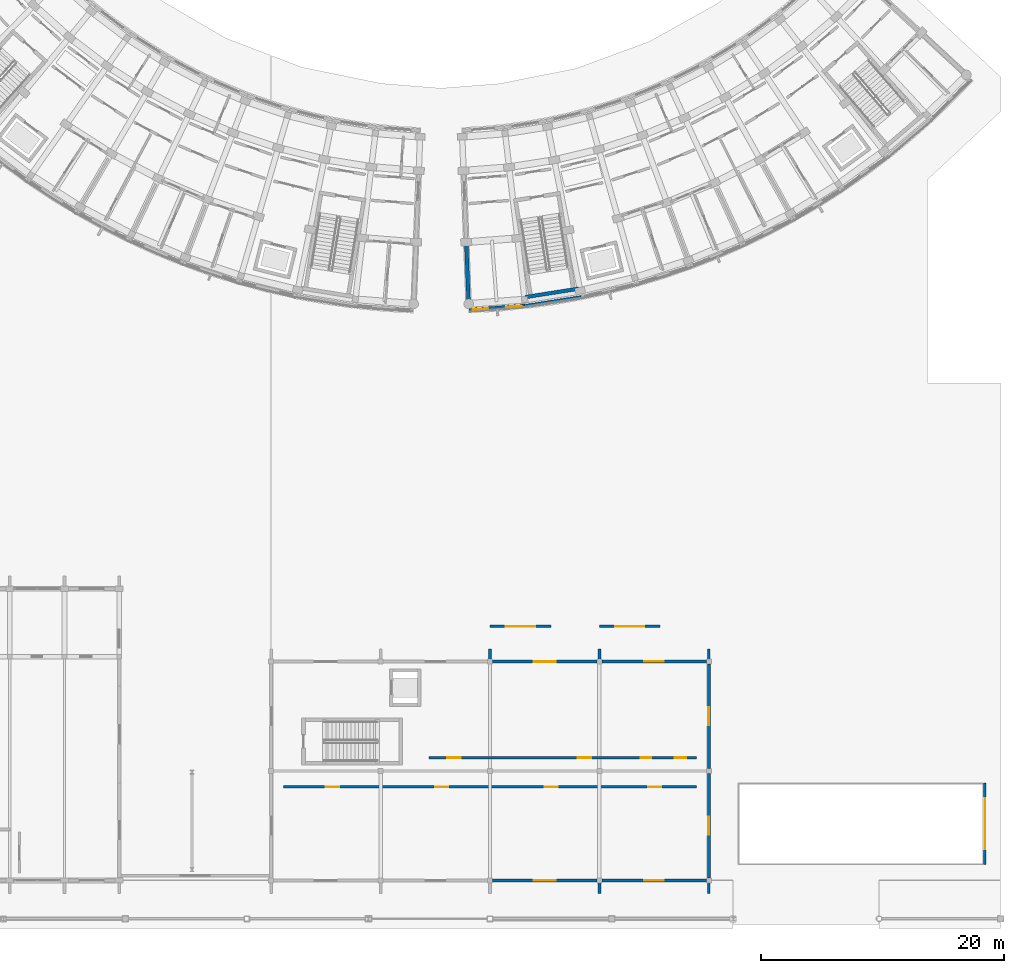
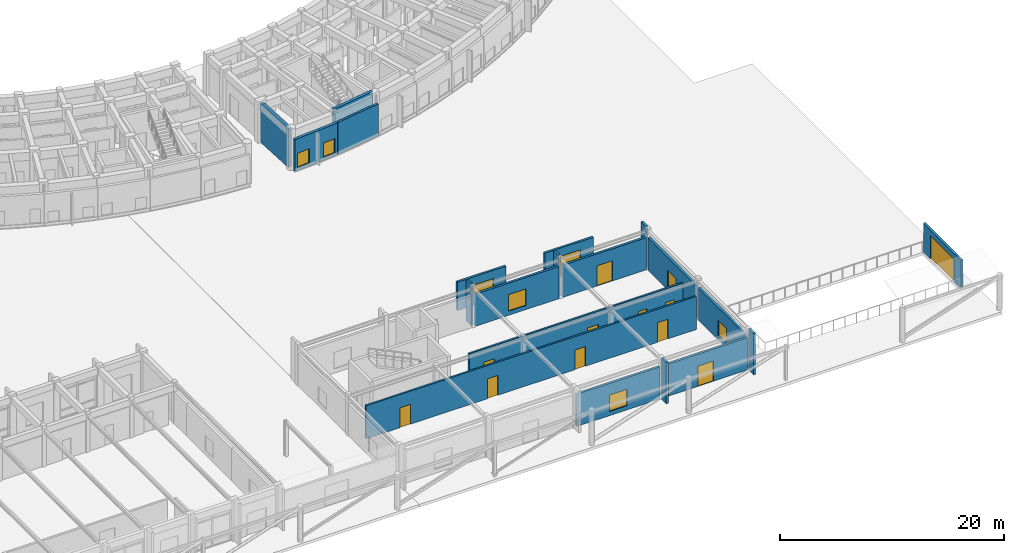
# One storey, part 41 of 61: 20 walls, 13 doors, 6 windows, 19 openings.
"""IFC4 building model written with IfcOpenShell, lengths in metres."""

from ifc_helpers import new_model, si_unit, direction, frame, frame_2d, origin, place, context, subcontext, project, spatial, rectangle, extrude, material, layer, layer_set, type_object, element, fill, save


model = new_model("IFC4")

# Units and contexts
model_context = context("Model", 3, precision=1e-05, world=origin(), true_north=direction((0.0, 1.0)))
body_context = subcontext(model_context, "Body", "Model", "MODEL_VIEW")
ifc_project = project(units=[si_unit("LENGTHUNIT", "METRE"), si_unit("AREAUNIT", "SQUARE_METRE"), si_unit("VOLUMEUNIT", "CUBIC_METRE"), si_unit("PLANEANGLEUNIT", "RADIAN"), si_unit("MASSUNIT", "GRAM", prefix="KILO")], contexts=[model_context])

# Site, building, storey
site_placement = place(None, origin())
site = spatial("IfcSite", under=ifc_project, at=site_placement, CompositionType="ELEMENT")
building_placement = place(site_placement, origin())
building = spatial("IfcBuilding", under=site, at=building_placement, Name="Zimvara Arc Housing Community", CompositionType="ELEMENT")
storey_placement = place(building_placement, origin())
storey = spatial("IfcBuildingStorey", under=building, at=storey_placement, Name="L00", CompositionType="ELEMENT", Elevation=0.0)

# Wall
ifc_material_1 = material(Name="Board-Marked Fair-Faced Concrete C35/45", Category="concrete")
ifc_layer_1 = layer(ifc_material_1, 0.219970703125)
ifc_layer_set_1 = layer_set([ifc_layer_1], Name="Board-Marked Fair-Faced Concrete C35/45")
wall_type_1 = type_object("IfcWallType", Name="EWL-CONC-220", PredefinedType="SOLIDWALL", material=ifc_layer_set_1)
wall_1_placement = place(storey_placement, frame((132.927734375, 50.888671875, 0.0), z_axis=(0.0, 0.0, 1.0), x_axis=(0.987828826394, 0.155544880165, 0.0)))
element("IfcWall", 1, at=wall_1_placement, inside=storey, type_object=wall_type_1, Name="ewall:blkD:L00:out:b1", PredefinedType="SOLIDWALL", context=body_context, shape_type="SweptSolid", body=[
    extrude(rectangle(XDim=4.622314453125, YDim=0.219970703125, at=frame_2d((2.31103515625, 0.0))), origin(), (0.0, 0.0, 1.0), 3.449951171875),
])

# Wall, opening, door
wall_2_placement = place(storey_placement, frame((170.699951171875, 4.89990234375, 0.0), z_axis=(0.0, 0.0, 1.0), x_axis=(0.0, 1.0, 0.0)))
wall_2 = element("IfcWall", 2, at=wall_2_placement, inside=storey, type_object=wall_type_1, Name="ewall:gate_host:ramp_entry", PredefinedType="SOLIDWALL", context=body_context, shape_type="SweptSolid", body=[
    extrude(rectangle(XDim=6.7001953125, YDim=0.219970703125, at=frame_2d((3.35009765625, 0.0))), origin(), (0.0, 0.0, 1.0), 3.10009765625),
])
opening_1_placement = place(wall_2_placement, frame((1.25, 0.0, 0.0)))
opening_1 = element("IfcOpeningElement", 3, at=opening_1_placement, cuts=wall_2, Name="Opening GT01", PredefinedType="OPENING", context=body_context, shape_type="SweptSolid", body=[
    extrude(rectangle(XDim=4.199951171875, YDim=2.5, at=frame_2d((2.10009765625, 1.25))), frame((0.0, 0.119873046875, 0.0), z_axis=(0.0, -1.0, 0.0), x_axis=(1.0, 0.0, 0.0)), (0.0, 0.0, 1.0), 0.239990234375),
])
ifc_material_2 = material(Name="Anodised Aluminium AW-6063", Category="aluminium")
door_type_1 = type_object("IfcDoorType", Name="GTE-RAMP-4200x2500", OperationType="ROLLINGUP", PredefinedType="GATE", material=ifc_material_2)
door_1_placement = place(opening_1_placement, origin())
door_1 = element("IfcDoor", 4, at=door_1_placement, inside=storey, type_object=door_type_1, Name="gate:ramp_entry", OperationType="ROLLINGUP", OverallHeight=2.5, OverallWidth=4.199951171875, PredefinedType="GATE", context=body_context, shape_type="SweptSolid", body=[
    extrude(rectangle(XDim=4.199951171875, YDim=2.5, at=frame_2d((2.10009765625, 1.25))), frame((0.0, 0.02490234375, 0.0), z_axis=(0.0, -1.0, 0.0), x_axis=(1.0, 0.0, 0.0)), (0.0, 0.0, 1.0), 0.050048828125),
])
fill(opening_1, door_1)

wall_3_placement = place(storey_placement, frame((130.0, 24.5, 0.0), z_axis=(0.0, 0.0, 1.0), x_axis=(1.0, 0.0, 0.0)))
wall_3 = element("IfcWall", 5, at=wall_3_placement, inside=storey, type_object=wall_type_1, Name="ewall:gate_host:nurs_play1", PredefinedType="SOLIDWALL", context=body_context, shape_type="SweptSolid", body=[
    extrude(rectangle(XDim=5.0, YDim=0.219970703125, at=frame_2d((2.5, 0.0))), origin(), (0.0, 0.0, 1.0), 3.10009765625),
])
opening_2_placement = place(wall_3_placement, frame((1.300048828125, 0.0, 0.0)))
opening_2 = element("IfcOpeningElement", 6, at=opening_2_placement, cuts=wall_3, Name="Opening GT02", PredefinedType="OPENING", context=body_context, shape_type="SweptSolid", body=[
    extrude(rectangle(XDim=2.39990234375, YDim=2.199951171875, at=frame_2d((1.199951171875, 1.10009765625))), frame((0.0, 0.119873046875, 0.0), z_axis=(0.0, -1.0, 0.0), x_axis=(1.0, 0.0, 0.0)), (0.0, 0.0, 1.0), 0.239990234375),
])
ifc_material_3 = material(Name="Anodised Aluminium AW-6063", Category="aluminium")
door_type_2 = type_object("IfcDoorType", Name="GTE-SERV-2400x2200", OperationType="DOUBLE_DOOR_SINGLE_SWING", PredefinedType="GATE", material=ifc_material_3)
door_2_placement = place(opening_2_placement, origin())
door_2 = element("IfcDoor", 7, at=door_2_placement, inside=storey, type_object=door_type_2, Name="gate:nurs_play1", OperationType="DOUBLE_DOOR_SINGLE_SWING", OverallHeight=2.199951171875, OverallWidth=2.39990234375, PredefinedType="GATE", context=body_context, shape_type="SweptSolid", body=[
    extrude(rectangle(XDim=2.39990234375, YDim=2.199951171875, at=frame_2d((1.199951171875, 1.10009765625))), frame((0.0, 0.02490234375, 0.0), z_axis=(0.0, -1.0, 0.0), x_axis=(1.0, 0.0, 0.0)), (0.0, 0.0, 1.0), 0.050048828125),
])
fill(opening_2, door_2)

wall_4_placement = place(storey_placement, frame((139.0, 24.5, 0.0), z_axis=(0.0, 0.0, 1.0), x_axis=(1.0, 0.0, 0.0)))
wall_4 = element("IfcWall", 8, at=wall_4_placement, inside=storey, type_object=wall_type_1, Name="ewall:gate_host:nurs_play2", PredefinedType="SOLIDWALL", context=body_context, shape_type="SweptSolid", body=[
    extrude(rectangle(XDim=5.0, YDim=0.219970703125, at=frame_2d((2.5, 0.0))), origin(), (0.0, 0.0, 1.0), 3.10009765625),
])
opening_3_placement = place(wall_4_placement, frame((1.300048828125, 0.0, 0.0)))
opening_3 = element("IfcOpeningElement", 9, at=opening_3_placement, cuts=wall_4, Name="Opening GT02", PredefinedType="OPENING", context=body_context, shape_type="SweptSolid", body=[
    extrude(rectangle(XDim=2.39990234375, YDim=2.199951171875, at=frame_2d((1.199951171875, 1.10009765625))), frame((0.0, 0.119873046875, 0.0), z_axis=(0.0, -1.0, 0.0), x_axis=(1.0, 0.0, 0.0)), (0.0, 0.0, 1.0), 0.239990234375),
])
door_3_placement = place(opening_3_placement, origin())
door_3 = element("IfcDoor", 10, at=door_3_placement, inside=storey, type_object=door_type_2, Name="gate:nurs_play2", OperationType="DOUBLE_DOOR_SINGLE_SWING", OverallHeight=2.199951171875, OverallWidth=2.39990234375, PredefinedType="GATE", context=body_context, shape_type="SweptSolid", body=[
    extrude(rectangle(XDim=2.39990234375, YDim=2.199951171875, at=frame_2d((1.199951171875, 1.10009765625))), frame((0.0, 0.02490234375, 0.0), z_axis=(0.0, -1.0, 0.0), x_axis=(1.0, 0.0, 0.0)), (0.0, 0.0, 1.0), 0.050048828125),
])
fill(opening_3, door_3)

# Walls
ifc_material_4 = material(Name="Board-Marked Fair-Faced Concrete C35/45", Category="concrete")
ifc_layer_2 = layer(ifc_material_4, 0.219970703125)
ifc_layer_set_2 = layer_set([ifc_layer_2], Name="Board-Marked Fair-Faced Concrete C35/45")
wall_type_2 = type_object("IfcWallType", Name="EWL-PARA-220", PredefinedType="PARAPET", material=ifc_layer_set_2)
for number, where, z_axis, x_axis, name in (
    (11, (130.0, 21.780029296875, 0.0), (0.0, 0.0, 1.0), (0.0, 1.0, 0.0), "finwall:nursery:L00:n:2"),
    (12, (139.0, 2.550048828125, 0.0), (0.0, 0.0, 1.0), (0.0, 1.0, 0.0), "finwall:nursery:L00:s:3"),
    (13, (139.0, 21.780029296875, 0.0), (0.0, 0.0, 1.0), (0.0, 1.0, 0.0), "finwall:nursery:L00:n:3"),
    (14, (148.0, 2.550048828125, 0.0), (0.0, 0.0, 1.0), (0.0, 1.0, 0.0), "finwall:nursery:L00:s:4"),
    (15, (148.0, 21.780029296875, 0.0), (0.0, 0.0, 1.0), (0.0, 1.0, 0.0), "finwall:nursery:L00:n:4"),
):
    element("IfcWall", number, at=place(storey_placement, frame(where, z_axis=z_axis, x_axis=x_axis)), inside=storey, type_object=wall_type_2, Name=name, PredefinedType="PARAPET", context=body_context, shape_type="SweptSolid", body=[
        extrude(rectangle(XDim=0.869873046875, YDim=0.219970703125, at=frame_2d((0.43505859375, 0.0))), origin(), (0.0, 0.0, 1.0), 4.5),
    ])

# Wall, opening, window
ifc_material_5 = material(Name="Pigmented Fair-Faced Concrete C35/45", Category="concrete")
ifc_layer_3 = layer(ifc_material_5, 0.235107421875)
ifc_layer_set_3 = layer_set([ifc_layer_3], Name="Pigmented Fair-Faced Concrete C35/45")
wall_type_3 = type_object("IfcWallType", Name="EWL-PIGM-235", PredefinedType="SOLIDWALL", material=ifc_layer_set_3)
wall_5_placement = place(storey_placement, frame((130.195068359375, 3.60009765625, 0.0), z_axis=(0.0, 0.0, 1.0), x_axis=(1.0, 0.0, 0.0)))
wall_5 = element("IfcWall", 16, at=wall_5_placement, inside=storey, type_object=wall_type_3, Name="ewall:nursery:L00:south:b2", PredefinedType="SOLIDWALL", context=body_context, shape_type="SweptSolid", body=[
    extrude(rectangle(XDim=8.60986328125, YDim=0.235107421875, at=frame_2d((4.304931640625, 0.0))), origin(), (0.0, 0.0, 1.0), 3.5),
])
opening_4_placement = place(wall_5_placement, frame((3.405029296875, 0.0, 0.449951171875)))
opening_4 = element("IfcOpeningElement", 17, at=opening_4_placement, cuts=wall_5, Name="Opening W13", PredefinedType="OPENING", context=body_context, shape_type="SweptSolid", body=[
    extrude(rectangle(XDim=1.800048828125, YDim=1.800048828125, at=frame_2d((0.89990234375, 0.89990234375))), frame((0.0, 0.12744140625, 0.0), z_axis=(0.0, -1.0, 0.0), x_axis=(1.0, 0.0, 0.0)), (0.0, 0.0, 1.0), 0.255126953125),
])
ifc_material_6 = material(Name="Solar Control Low-E Double Glazing", Category="glass")
window_type_1 = type_object("IfcWindowType", Name="WIN-NURS-1800x1800", PartitioningType="TRIPLE_PANEL_VERTICAL", PredefinedType="WINDOW", material=ifc_material_6)
window_1_placement = place(opening_4_placement, origin())
window_1 = element("IfcWindow", 18, at=window_1_placement, inside=storey, type_object=window_type_1, Name="win:nursery:L00:south:b2", OverallHeight=1.800048828125, OverallWidth=1.800048828125, PartitioningType="TRIPLE_PANEL_VERTICAL", PredefinedType="WINDOW", context=body_context, shape_type="SweptSolid", body=[
    extrude(rectangle(XDim=1.800048828125, YDim=1.800048828125, at=frame_2d((0.89990234375, 0.89990234375))), frame((0.0, 0.030029296875, 0.0), z_axis=(0.0, -1.0, 0.0), x_axis=(1.0, 0.0, 0.0)), (0.0, 0.0, 1.0), 0.06005859375),
])
fill(opening_4, window_1)

# Wall, opening, door
wall_6_placement = place(storey_placement, frame((139.195068359375, 3.60009765625, 0.0), z_axis=(0.0, 0.0, 1.0), x_axis=(1.0, 0.0, 0.0)))
wall_6 = element("IfcWall", 19, at=wall_6_placement, inside=storey, type_object=wall_type_3, Name="ewall:nursery:L00:south:b3", PredefinedType="SOLIDWALL", context=body_context, shape_type="SweptSolid", body=[
    extrude(rectangle(XDim=8.60986328125, YDim=0.235107421875, at=frame_2d((4.304931640625, 0.0))), origin(), (0.0, 0.0, 1.0), 3.5),
])
opening_5_placement = place(wall_6_placement, frame((3.5048828125, 0.0, 0.0)))
opening_5 = element("IfcOpeningElement", 20, at=opening_5_placement, cuts=wall_6, Name="Opening ED05", PredefinedType="OPENING", context=body_context, shape_type="SweptSolid", body=[
    extrude(rectangle(XDim=1.60009765625, YDim=2.199951171875, at=frame_2d((0.800048828125, 1.10009765625))), frame((0.0, 0.12744140625, 0.0), z_axis=(0.0, -1.0, 0.0), x_axis=(1.0, 0.0, 0.0)), (0.0, 0.0, 1.0), 0.255126953125),
])
ifc_material_7 = material(Name="Anodised Aluminium AW-6063", Category="aluminium")
door_type_3 = type_object("IfcDoorType", Name="EDR-NURS-1600x2200", OperationType="DOUBLE_DOOR_SINGLE_SWING", PredefinedType="DOOR", material=ifc_material_7)
door_4_placement = place(opening_5_placement, origin())
door_4 = element("IfcDoor", 21, at=door_4_placement, inside=storey, type_object=door_type_3, Name="edoor:nursery:L00:south:b3", OperationType="DOUBLE_DOOR_SINGLE_SWING", OverallHeight=2.199951171875, OverallWidth=1.60009765625, PredefinedType="DOOR", context=body_context, shape_type="SweptSolid", body=[
    extrude(rectangle(XDim=1.60009765625, YDim=2.199951171875, at=frame_2d((0.800048828125, 1.10009765625))), frame((0.0, 0.02490234375, 0.0), z_axis=(0.0, -1.0, 0.0), x_axis=(1.0, 0.0, 0.0)), (0.0, 0.0, 1.0), 0.050048828125),
])
fill(opening_5, door_4)

# Wall, opening, window
wall_7_placement = place(storey_placement, frame((130.195068359375, 21.60009765625, 0.0), z_axis=(0.0, 0.0, 1.0), x_axis=(1.0, 0.0, 0.0)))
wall_7 = element("IfcWall", 22, at=wall_7_placement, inside=storey, type_object=wall_type_3, Name="ewall:nursery:L00:north:b2", PredefinedType="SOLIDWALL", context=body_context, shape_type="SweptSolid", body=[
    extrude(rectangle(XDim=8.60986328125, YDim=0.235107421875, at=frame_2d((4.304931640625, 0.0))), origin(), (0.0, 0.0, 1.0), 3.5),
])
opening_6_placement = place(wall_7_placement, frame((3.405029296875, 0.0, 0.449951171875)))
opening_6 = element("IfcOpeningElement", 23, at=opening_6_placement, cuts=wall_7, Name="Opening W13", PredefinedType="OPENING", context=body_context, shape_type="SweptSolid", body=[
    extrude(rectangle(XDim=1.800048828125, YDim=1.800048828125, at=frame_2d((0.89990234375, 0.89990234375))), frame((0.0, 0.12744140625, 0.0), z_axis=(0.0, -1.0, 0.0), x_axis=(1.0, 0.0, 0.0)), (0.0, 0.0, 1.0), 0.255126953125),
])
window_2_placement = place(opening_6_placement, origin())
window_2 = element("IfcWindow", 24, at=window_2_placement, inside=storey, type_object=window_type_1, Name="win:nursery:L00:north:b2", OverallHeight=1.800048828125, OverallWidth=1.800048828125, PartitioningType="TRIPLE_PANEL_VERTICAL", PredefinedType="WINDOW", context=body_context, shape_type="SweptSolid", body=[
    extrude(rectangle(XDim=1.800048828125, YDim=1.800048828125, at=frame_2d((0.89990234375, 0.89990234375))), frame((0.0, 0.030029296875, 0.0), z_axis=(0.0, -1.0, 0.0), x_axis=(1.0, 0.0, 0.0)), (0.0, 0.0, 1.0), 0.06005859375),
])
fill(opening_6, window_2)

# Wall, opening, door
wall_8_placement = place(storey_placement, frame((139.195068359375, 21.60009765625, 0.0), z_axis=(0.0, 0.0, 1.0), x_axis=(1.0, 0.0, 0.0)))
wall_8 = element("IfcWall", 25, at=wall_8_placement, inside=storey, type_object=wall_type_3, Name="ewall:nursery:L00:north:b3", PredefinedType="SOLIDWALL", context=body_context, shape_type="SweptSolid", body=[
    extrude(rectangle(XDim=8.60986328125, YDim=0.235107421875, at=frame_2d((4.304931640625, 0.0))), origin(), (0.0, 0.0, 1.0), 3.5),
])
opening_7_placement = place(wall_8_placement, frame((3.5048828125, 0.0, 0.0)))
opening_7 = element("IfcOpeningElement", 26, at=opening_7_placement, cuts=wall_8, Name="Opening ED05", PredefinedType="OPENING", context=body_context, shape_type="SweptSolid", body=[
    extrude(rectangle(XDim=1.60009765625, YDim=2.199951171875, at=frame_2d((0.800048828125, 1.10009765625))), frame((0.0, 0.12744140625, 0.0), z_axis=(0.0, -1.0, 0.0), x_axis=(1.0, 0.0, 0.0)), (0.0, 0.0, 1.0), 0.255126953125),
])
door_5_placement = place(opening_7_placement, origin())
door_5 = element("IfcDoor", 27, at=door_5_placement, inside=storey, type_object=door_type_3, Name="edoor:nursery:L00:north:b3", OperationType="DOUBLE_DOOR_SINGLE_SWING", OverallHeight=2.199951171875, OverallWidth=1.60009765625, PredefinedType="DOOR", context=body_context, shape_type="SweptSolid", body=[
    extrude(rectangle(XDim=1.60009765625, YDim=2.199951171875, at=frame_2d((0.800048828125, 1.10009765625))), frame((0.0, 0.02490234375, 0.0), z_axis=(0.0, -1.0, 0.0), x_axis=(1.0, 0.0, 0.0)), (0.0, 0.0, 1.0), 0.050048828125),
])
fill(opening_7, door_5)

# Wall, opening, window
wall_9_placement = place(storey_placement, frame((148.0, 3.794921875, 0.0), z_axis=(0.0, 0.0, 1.0), x_axis=(0.0, 1.0, 0.0)))
wall_9 = element("IfcWall", 28, at=wall_9_placement, inside=storey, type_object=wall_type_3, Name="ewall:nursery:L00:east:b0", PredefinedType="SOLIDWALL", context=body_context, shape_type="SweptSolid", body=[
    extrude(rectangle(XDim=8.610107421875, YDim=0.235107421875, at=frame_2d((4.30517578125, 0.0))), origin(), (0.0, 0.0, 1.0), 3.5),
])
opening_8_placement = place(wall_9_placement, frame((3.554931640625, 0.0, 0.449951171875)))
opening_8 = element("IfcOpeningElement", 29, at=opening_8_placement, cuts=wall_9, Name="Opening W07", PredefinedType="OPENING", context=body_context, shape_type="SweptSolid", body=[
    extrude(rectangle(XDim=1.5, YDim=1.64990234375, at=frame_2d((0.75, 0.824951171875))), frame((0.0, 0.12744140625, 0.0), z_axis=(0.0, -1.0, 0.0), x_axis=(1.0, 0.0, 0.0)), (0.0, 0.0, 1.0), 0.255126953125),
])
ifc_material_8 = material(Name="Solar Control Low-E Double Glazing", Category="glass")
window_type_2 = type_object("IfcWindowType", Name="WIN-RES-1500x1650", PartitioningType="DOUBLE_PANEL_VERTICAL", PredefinedType="WINDOW", material=ifc_material_8)
window_3_placement = place(opening_8_placement, origin())
window_3 = element("IfcWindow", 30, at=window_3_placement, inside=storey, type_object=window_type_2, Name="win:nursery:L00:east:b0", OverallHeight=1.64990234375, OverallWidth=1.5, PartitioningType="DOUBLE_PANEL_VERTICAL", PredefinedType="WINDOW", context=body_context, shape_type="SweptSolid", body=[
    extrude(rectangle(XDim=1.5, YDim=1.64990234375, at=frame_2d((0.75, 0.824951171875))), frame((0.0, 0.030029296875, 0.0), z_axis=(0.0, -1.0, 0.0), x_axis=(1.0, 0.0, 0.0)), (0.0, 0.0, 1.0), 0.06005859375),
])
fill(opening_8, window_3)

wall_10_placement = place(storey_placement, frame((148.0, 12.794921875, 0.0), z_axis=(0.0, 0.0, 1.0), x_axis=(0.0, 1.0, 0.0)))
wall_10 = element("IfcWall", 31, at=wall_10_placement, inside=storey, type_object=wall_type_3, Name="ewall:nursery:L00:east:b1", PredefinedType="SOLIDWALL", context=body_context, shape_type="SweptSolid", body=[
    extrude(rectangle(XDim=8.610107421875, YDim=0.235107421875, at=frame_2d((4.30517578125, 0.0))), origin(), (0.0, 0.0, 1.0), 3.5),
])
opening_9_placement = place(wall_10_placement, frame((3.554931640625, 0.0, 0.449951171875)))
opening_9 = element("IfcOpeningElement", 32, at=opening_9_placement, cuts=wall_10, Name="Opening W07", PredefinedType="OPENING", context=body_context, shape_type="SweptSolid", body=[
    extrude(rectangle(XDim=1.5, YDim=1.64990234375, at=frame_2d((0.75, 0.824951171875))), frame((0.0, 0.12744140625, 0.0), z_axis=(0.0, -1.0, 0.0), x_axis=(1.0, 0.0, 0.0)), (0.0, 0.0, 1.0), 0.255126953125),
])
window_4_placement = place(opening_9_placement, origin())
window_4 = element("IfcWindow", 33, at=window_4_placement, inside=storey, type_object=window_type_2, Name="win:nursery:L00:east:b1", OverallHeight=1.64990234375, OverallWidth=1.5, PartitioningType="DOUBLE_PANEL_VERTICAL", PredefinedType="WINDOW", context=body_context, shape_type="SweptSolid", body=[
    extrude(rectangle(XDim=1.5, YDim=1.64990234375, at=frame_2d((0.75, 0.824951171875))), frame((0.0, 0.030029296875, 0.0), z_axis=(0.0, -1.0, 0.0), x_axis=(1.0, 0.0, 0.0)), (0.0, 0.0, 1.0), 0.06005859375),
])
fill(opening_9, window_4)

# Wall, openings, windows
ifc_material_9 = material(Name="Board-Marked Fair-Faced Concrete C35/45", Category="concrete")
ifc_layer_4 = layer(ifc_material_9, 0.281982421875)
ifc_layer_set_4 = layer_set([ifc_layer_4], Name="Board-Marked Fair-Faced Concrete C35/45")
wall_type_4 = type_object("IfcWallType", Name="EWL-VAR-24", PredefinedType="SOLIDWALL", material=ifc_layer_set_4)
wall_11_placement = place(storey_placement, frame((128.279296875, 50.525390625, 0.0), z_axis=(0.0, 0.0, 1.0), x_axis=(0.996985740974, 0.07758500045, 0.0)))
wall_11 = element("IfcWall", 34, at=wall_11_placement, inside=storey, type_object=wall_type_4, Name="ewall:blkD:L00:out:b0", PredefinedType="SOLIDWALL", context=body_context, shape_type="SweptSolid", body=[
    extrude(rectangle(XDim=4.62255859375, YDim=0.281982421875, at=frame_2d((2.311279296875, 0.0))), origin(), (0.0, 0.0, 1.0), 3.449951171875),
])
opening_10_placement = place(wall_11_placement, frame((0.300048828125, 0.0, 0.300048828125)))
opening_10 = element("IfcOpeningElement", 35, at=opening_10_placement, cuts=wall_11, Name="Opening W40", PredefinedType="OPENING", context=body_context, shape_type="SweptSolid", body=[
    extrude(rectangle(XDim=1.260009765625, YDim=1.56005859375, at=frame_2d((0.6298828125, 0.780029296875))), frame((0.0, 0.15087890625, 0.0), z_axis=(0.0, -1.0, 0.0), x_axis=(1.0, 0.0, 0.0)), (0.0, 0.0, 1.0), 0.302001953125),
])
opening_11_placement = place(wall_11_placement, frame((3.0625, 0.0, 0.300048828125)))
opening_11 = element("IfcOpeningElement", 36, at=opening_11_placement, cuts=wall_11, Name="Opening W40", PredefinedType="OPENING", context=body_context, shape_type="SweptSolid", body=[
    extrude(rectangle(XDim=1.260009765625, YDim=1.56005859375, at=frame_2d((0.6298828125, 0.780029296875))), frame((0.0, 0.15087890625, 0.0), z_axis=(0.0, -1.0, 0.0), x_axis=(1.0, 0.0, 0.0)), (0.0, 0.0, 1.0), 0.302001953125),
])
ifc_material_10 = material(Name="Solar Control Low-E Double Glazing", Category="glass")
window_type_3 = type_object("IfcWindowType", Name="WIN-MOD-1260x1560", PartitioningType="DOUBLE_PANEL_VERTICAL", PredefinedType="WINDOW", material=ifc_material_10)
window_5_placement = place(opening_10_placement, origin())
window_5 = element("IfcWindow", 37, at=window_5_placement, inside=storey, type_object=window_type_3, Name="win:blkD:L00:out:b0:1", OverallHeight=1.56005859375, OverallWidth=1.260009765625, PartitioningType="DOUBLE_PANEL_VERTICAL", PredefinedType="WINDOW", context=body_context, shape_type="SweptSolid", body=[
    extrude(rectangle(XDim=1.260009765625, YDim=1.56005859375, at=frame_2d((0.6298828125, 0.780029296875))), frame((0.0, 0.030029296875, 0.0), z_axis=(0.0, -1.0, 0.0), x_axis=(1.0, 0.0, 0.0)), (0.0, 0.0, 1.0), 0.06005859375),
])
fill(opening_10, window_5)
window_6_placement = place(opening_11_placement, origin())
window_6 = element("IfcWindow", 38, at=window_6_placement, inside=storey, type_object=window_type_3, Name="win:blkD:L00:out:b0:2", OverallHeight=1.56005859375, OverallWidth=1.260009765625, PartitioningType="DOUBLE_PANEL_VERTICAL", PredefinedType="WINDOW", context=body_context, shape_type="SweptSolid", body=[
    extrude(rectangle(XDim=1.260009765625, YDim=1.56005859375, at=frame_2d((0.6298828125, 0.780029296875))), frame((0.0, 0.030029296875, 0.0), z_axis=(0.0, -1.0, 0.0), x_axis=(1.0, 0.0, 0.0)), (0.0, 0.0, 1.0), 0.06005859375),
])
fill(opening_11, window_6)

# Wall, openings, doors
ifc_material_11 = material(Name="Concrete C35/45", Category="concrete")
ifc_layer_5 = layer(ifc_material_11, 0.18994140625)
ifc_layer_set_5 = layer_set([ifc_layer_5], Name="Concrete C35/45")
wall_type_5 = type_object("IfcWallType", Name="IWL-CORR-190", PredefinedType="SOLIDWALL", material=ifc_layer_set_5)
wall_12_placement = place(storey_placement, frame((113.0, 11.300048828125, 0.0), z_axis=(0.0, 0.0, 1.0), x_axis=(1.0, 0.0, 0.0)))
wall_12 = element("IfcWall", 39, at=wall_12_placement, inside=storey, type_object=wall_type_5, Name="iwall:civ:nurs_s_l00", PredefinedType="SOLIDWALL", context=body_context, shape_type="SweptSolid", body=[
    extrude(rectangle(XDim=34.0, YDim=0.18994140625, at=frame_2d((17.0, 0.0))), origin(), (0.0, 0.0, 1.0), 3.60009765625),
])
opening_12_placement = place(wall_12_placement, frame((3.5, 0.0, 0.0)))
opening_12 = element("IfcOpeningElement", 40, at=opening_12_placement, cuts=wall_12, Name="Opening D08", PredefinedType="OPENING", context=body_context, shape_type="SweptSolid", body=[
    extrude(rectangle(XDim=1.080078125, YDim=2.14990234375, at=frame_2d((0.5400390625, 1.074951171875))), frame((0.0, 0.10498046875, 0.0), z_axis=(0.0, -1.0, 0.0), x_axis=(1.0, 0.0, 0.0)), (0.0, 0.0, 1.0), 0.2099609375),
])
opening_13_placement = place(wall_12_placement, frame((12.5, 0.0, 0.0)))
opening_13 = element("IfcOpeningElement", 41, at=opening_13_placement, cuts=wall_12, Name="Opening D08", PredefinedType="OPENING", context=body_context, shape_type="SweptSolid", body=[
    extrude(rectangle(XDim=1.080078125, YDim=2.14990234375, at=frame_2d((0.5400390625, 1.074951171875))), frame((0.0, 0.10498046875, 0.0), z_axis=(0.0, -1.0, 0.0), x_axis=(1.0, 0.0, 0.0)), (0.0, 0.0, 1.0), 0.2099609375),
])
opening_14_placement = place(wall_12_placement, frame((21.5, 0.0, 0.0)))
opening_14 = element("IfcOpeningElement", 42, at=opening_14_placement, cuts=wall_12, Name="Opening D08", PredefinedType="OPENING", context=body_context, shape_type="SweptSolid", body=[
    extrude(rectangle(XDim=1.080078125, YDim=2.14990234375, at=frame_2d((0.5400390625, 1.074951171875))), frame((0.0, 0.10498046875, 0.0), z_axis=(0.0, -1.0, 0.0), x_axis=(1.0, 0.0, 0.0)), (0.0, 0.0, 1.0), 0.2099609375),
])
opening_15_placement = place(wall_12_placement, frame((30.0, 0.0, 0.0)))
opening_15 = element("IfcOpeningElement", 43, at=opening_15_placement, cuts=wall_12, Name="Opening D08", PredefinedType="OPENING", context=body_context, shape_type="SweptSolid", body=[
    extrude(rectangle(XDim=1.080078125, YDim=2.14990234375, at=frame_2d((0.5400390625, 1.074951171875))), frame((0.0, 0.10498046875, 0.0), z_axis=(0.0, -1.0, 0.0), x_axis=(1.0, 0.0, 0.0)), (0.0, 0.0, 1.0), 0.2099609375),
])
ifc_material_12 = material(Name="Mozambican Hardwood", Category="wood")
door_type_4 = type_object("IfcDoorType", Name="IDR-NURS-1080x2150", OperationType="NOTDEFINED", PredefinedType="DOOR", material=ifc_material_12)
door_6_placement = place(opening_12_placement, origin())
door_6 = element("IfcDoor", 44, at=door_6_placement, inside=storey, type_object=door_type_4, Name="idoor:civ:nrec_d", OperationType="SINGLE_SWING_LEFT", OverallHeight=2.14990234375, OverallWidth=1.080078125, PredefinedType="DOOR", context=body_context, shape_type="SweptSolid", body=[
    extrude(rectangle(XDim=1.080078125, YDim=2.14990234375, at=frame_2d((0.5400390625, 1.074951171875))), frame((0.0, 0.02490234375, 0.0), z_axis=(0.0, -1.0, 0.0), x_axis=(1.0, 0.0, 0.0)), (0.0, 0.0, 1.0), 0.050048828125),
])
fill(opening_12, door_6)
door_7_placement = place(opening_13_placement, origin())
door_7 = element("IfcDoor", 45, at=door_7_placement, inside=storey, type_object=door_type_4, Name="idoor:civ:ninf_d", OperationType="SINGLE_SWING_RIGHT", OverallHeight=2.14990234375, OverallWidth=1.080078125, PredefinedType="DOOR", context=body_context, shape_type="SweptSolid", body=[
    extrude(rectangle(XDim=1.080078125, YDim=2.14990234375, at=frame_2d((0.5400390625, 1.074951171875))), frame((0.0, 0.02490234375, 0.0), z_axis=(0.0, -1.0, 0.0), x_axis=(1.0, 0.0, 0.0)), (0.0, 0.0, 1.0), 0.050048828125),
])
fill(opening_13, door_7)
door_8_placement = place(opening_14_placement, origin())
door_8 = element("IfcDoor", 46, at=door_8_placement, inside=storey, type_object=door_type_4, Name="idoor:civ:ncl1_d", OperationType="SINGLE_SWING_LEFT", OverallHeight=2.14990234375, OverallWidth=1.080078125, PredefinedType="DOOR", context=body_context, shape_type="SweptSolid", body=[
    extrude(rectangle(XDim=1.080078125, YDim=2.14990234375, at=frame_2d((0.5400390625, 1.074951171875))), frame((0.0, 0.02490234375, 0.0), z_axis=(0.0, -1.0, 0.0), x_axis=(1.0, 0.0, 0.0)), (0.0, 0.0, 1.0), 0.050048828125),
])
fill(opening_14, door_8)
door_9_placement = place(opening_15_placement, origin())
door_9 = element("IfcDoor", 47, at=door_9_placement, inside=storey, type_object=door_type_4, Name="idoor:civ:ncl2_d", OperationType="SINGLE_SWING_RIGHT", OverallHeight=2.14990234375, OverallWidth=1.080078125, PredefinedType="DOOR", context=body_context, shape_type="SweptSolid", body=[
    extrude(rectangle(XDim=1.080078125, YDim=2.14990234375, at=frame_2d((0.5400390625, 1.074951171875))), frame((0.0, 0.02490234375, 0.0), z_axis=(0.0, -1.0, 0.0), x_axis=(1.0, 0.0, 0.0)), (0.0, 0.0, 1.0), 0.050048828125),
])
fill(opening_15, door_9)

wall_13_placement = place(storey_placement, frame((125.0, 13.699951171875, 0.0), z_axis=(0.0, 0.0, 1.0), x_axis=(1.0, 0.0, 0.0)))
wall_13 = element("IfcWall", 48, at=wall_13_placement, inside=storey, type_object=wall_type_5, Name="iwall:civ:nurs_n_l00", PredefinedType="SOLIDWALL", context=body_context, shape_type="SweptSolid", body=[
    extrude(rectangle(XDim=22.0, YDim=0.18994140625, at=frame_2d((11.0, 0.0))), origin(), (0.0, 0.0, 1.0), 3.60009765625),
])
opening_16_placement = place(wall_13_placement, frame((1.5, 0.0, 0.0)))
opening_16 = element("IfcOpeningElement", 49, at=opening_16_placement, cuts=wall_13, Name="Opening D08", PredefinedType="OPENING", context=body_context, shape_type="SweptSolid", body=[
    extrude(rectangle(XDim=1.080078125, YDim=2.14990234375, at=frame_2d((0.5400390625, 1.074951171875))), frame((0.0, 0.10498046875, 0.0), z_axis=(0.0, -1.0, 0.0), x_axis=(1.0, 0.0, 0.0)), (0.0, 0.0, 1.0), 0.2099609375),
])
opening_17_placement = place(wall_13_placement, frame((12.199951171875, 0.0, 0.0)))
opening_17 = element("IfcOpeningElement", 50, at=opening_17_placement, cuts=wall_13, Name="Opening D07", PredefinedType="OPENING", context=body_context, shape_type="SweptSolid", body=[
    extrude(rectangle(XDim=1.1201171875, YDim=2.14990234375, at=frame_2d((0.56005859375, 1.074951171875))), frame((0.0, 0.10498046875, 0.0), z_axis=(0.0, -1.0, 0.0), x_axis=(1.0, 0.0, 0.0)), (0.0, 0.0, 1.0), 0.2099609375),
])
opening_18_placement = place(wall_13_placement, frame((17.39990234375, 0.0, 0.0)))
opening_18 = element("IfcOpeningElement", 51, at=opening_18_placement, cuts=wall_13, Name="Opening D05", PredefinedType="OPENING", context=body_context, shape_type="SweptSolid", body=[
    extrude(rectangle(XDim=0.8798828125, YDim=2.10009765625, at=frame_2d((0.43994140625, 1.050048828125))), frame((0.0, 0.10498046875, 0.0), z_axis=(0.0, -1.0, 0.0), x_axis=(1.0, 0.0, 0.0)), (0.0, 0.0, 1.0), 0.2099609375),
])
opening_19_placement = place(wall_13_placement, frame((20.199951171875, 0.0, 0.0)))
opening_19 = element("IfcOpeningElement", 52, at=opening_19_placement, cuts=wall_13, Name="Opening D06", PredefinedType="OPENING", context=body_context, shape_type="SweptSolid", body=[
    extrude(rectangle(XDim=0.949951171875, YDim=2.10009765625, at=frame_2d((0.47509765625, 1.050048828125))), frame((0.0, 0.10498046875, 0.0), z_axis=(0.0, -1.0, 0.0), x_axis=(1.0, 0.0, 0.0)), (0.0, 0.0, 1.0), 0.2099609375),
])
ifc_material_13 = material(Name="Mozambican Hardwood", Category="wood")
door_type_5 = type_object("IfcDoorType", Name="IDR-AMN-1120x2150", OperationType="NOTDEFINED", PredefinedType="DOOR", material=ifc_material_13)
door_10_placement = place(opening_17_placement, origin())
door_10 = element("IfcDoor", 53, at=door_10_placement, inside=storey, type_object=door_type_5, Name="idoor:civ:nkit_d", OperationType="SINGLE_SWING_RIGHT", OverallHeight=2.14990234375, OverallWidth=1.1201171875, PredefinedType="DOOR", context=body_context, shape_type="SweptSolid", body=[
    extrude(rectangle(XDim=1.1201171875, YDim=2.14990234375, at=frame_2d((0.56005859375, 1.074951171875))), frame((0.0, 0.02490234375, 0.0), z_axis=(0.0, -1.0, 0.0), x_axis=(1.0, 0.0, 0.0)), (0.0, 0.0, 1.0), 0.050048828125),
])
fill(opening_17, door_10)
ifc_material_14 = material(Name="Mozambican Hardwood", Category="wood")
door_type_6 = type_object("IfcDoorType", Name="IDR-AWC-0950x2100", OperationType="NOTDEFINED", PredefinedType="DOOR", material=ifc_material_14)
door_11_placement = place(opening_19_placement, origin())
door_11 = element("IfcDoor", 54, at=door_11_placement, inside=storey, type_object=door_type_6, Name="idoor:civ:nawc_d", OperationType="SINGLE_SWING_RIGHT", OverallHeight=2.10009765625, OverallWidth=0.949951171875, PredefinedType="DOOR", context=body_context, shape_type="SweptSolid", body=[
    extrude(rectangle(XDim=0.949951171875, YDim=2.10009765625, at=frame_2d((0.47509765625, 1.050048828125))), frame((0.0, 0.02490234375, 0.0), z_axis=(0.0, -1.0, 0.0), x_axis=(1.0, 0.0, 0.0)), (0.0, 0.0, 1.0), 0.050048828125),
])
fill(opening_19, door_11)
door_12_placement = place(opening_16_placement, origin())
door_12 = element("IfcDoor", 55, at=door_12_placement, inside=storey, type_object=door_type_4, Name="idoor:civ:nply_d", OperationType="SINGLE_SWING_LEFT", OverallHeight=2.14990234375, OverallWidth=1.080078125, PredefinedType="DOOR", context=body_context, shape_type="SweptSolid", body=[
    extrude(rectangle(XDim=1.080078125, YDim=2.14990234375, at=frame_2d((0.5400390625, 1.074951171875))), frame((0.0, 0.02490234375, 0.0), z_axis=(0.0, -1.0, 0.0), x_axis=(1.0, 0.0, 0.0)), (0.0, 0.0, 1.0), 0.050048828125),
])
fill(opening_16, door_12)
ifc_material_15 = material(Name="Mozambican Hardwood", Category="wood")
door_type_7 = type_object("IfcDoorType", Name="IDR-WC-0880x2100", OperationType="NOTDEFINED", PredefinedType="DOOR", material=ifc_material_15)
door_13_placement = place(opening_18_placement, origin())
door_13 = element("IfcDoor", 56, at=door_13_placement, inside=storey, type_object=door_type_7, Name="idoor:civ:ncwc_d", OperationType="SINGLE_SWING_LEFT", OverallHeight=2.10009765625, OverallWidth=0.8798828125, PredefinedType="DOOR", context=body_context, shape_type="SweptSolid", body=[
    extrude(rectangle(XDim=0.8798828125, YDim=2.10009765625, at=frame_2d((0.43994140625, 1.050048828125))), frame((0.0, 0.02490234375, 0.0), z_axis=(0.0, -1.0, 0.0), x_axis=(1.0, 0.0, 0.0)), (0.0, 0.0, 1.0), 0.050048828125),
])
fill(opening_18, door_13)

# Walls
ifc_material_16 = material(Name="Concrete C40/50", Category="concrete")
ifc_layer_6 = layer(ifc_material_16, 0.300048828125)
ifc_layer_set_6 = layer_set([ifc_layer_6], Name="Concrete C40/50")
wall_type_6 = type_object("IfcWallType", Name="WL-CORE-300", PredefinedType="SHEAR", material=ifc_layer_set_6)
wall_14_placement = place(storey_placement, frame((132.895751953125, 51.581298828125, 0.0), z_axis=(0.0, 0.0, 1.0), x_axis=(0.987819142769, 0.155606366126, 0.0)))
element("IfcWall", 57, at=wall_14_placement, inside=storey, type_object=wall_type_6, Name="cwall:ST-D1:L00:far", PredefinedType="SHEAR", context=body_context, shape_type="SweptSolid", body=[
    extrude(rectangle(XDim=4.469970703125, YDim=0.300048828125, at=frame_2d((2.23486328125, 0.0))), origin(), (0.0, 0.0, 1.0), 4.5),
])
ifc_material_17 = material(Name="Concrete C40/50", Category="concrete")
ifc_layer_7 = layer(ifc_material_17, 0.31005859375)
ifc_layer_set_7 = layer_set([ifc_layer_7], Name="Concrete C40/50")
wall_type_7 = type_object("IfcWallType", Name="WL-SHEAR-310", PredefinedType="SHEAR", material=ifc_layer_set_7)
wall_15_placement = place(storey_placement, frame((128.05224609375, 55.919677734375, 0.0), z_axis=(0.0, 0.0, 1.0), x_axis=(0.038381471406, -0.99926315986, 0.0)))
element("IfcWall", 58, at=wall_15_placement, inside=storey, type_object=wall_type_7, Name="swall:blkD:L00:west", PredefinedType="SHEAR", context=body_context, shape_type="SweptSolid", body=[
    extrude(rectangle(XDim=4.7197265625, YDim=0.31005859375, at=frame_2d((2.35986328125, 0.0))), origin(), (0.0, 0.0, 1.0), 4.260009765625),
])

save(model, "model.ifc")
